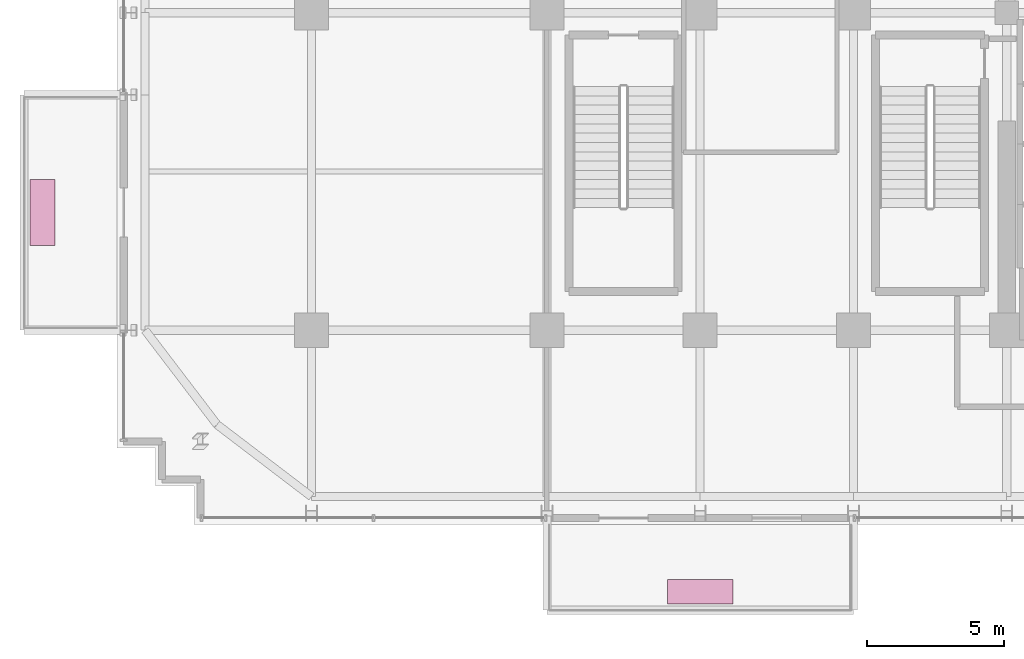
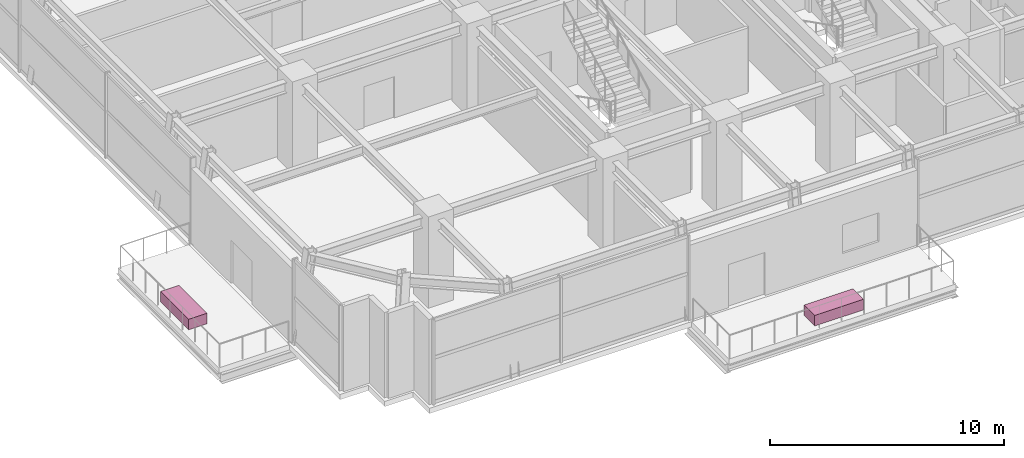
# One storey, part 26 of 26: 2 furnishings.
"""IFC4 building model written with IfcOpenShell, lengths in metres."""

from ifc_helpers import new_model, si_unit, direction, frame, origin, origin_2d, place, context, subcontext, project, spatial, rectangle, extrude, source, transform, mapped, material, type_object, element, save


model = new_model("IFC4")

# Units and contexts
model_context = context("Model", 3, precision=1e-05, world=origin(), true_north=direction((0.0, 1.0)))
body_context = subcontext(model_context, "Body", "Model", "MODEL_VIEW")
ifc_project = project(units=[si_unit("LENGTHUNIT", "METRE"), si_unit("AREAUNIT", "SQUARE_METRE"), si_unit("VOLUMEUNIT", "CUBIC_METRE"), si_unit("PLANEANGLEUNIT", "RADIAN"), si_unit("MASSUNIT", "GRAM", prefix="KILO")], contexts=[model_context])

# Site, building, storey
site_placement = place(None, origin())
site = spatial("IfcSite", under=ifc_project, at=site_placement, CompositionType="ELEMENT")
building_placement = place(site_placement, origin())
building = spatial("IfcBuilding", under=site, at=building_placement, Name="Nahalor Promenade Grand Hotel", CompositionType="ELEMENT")
storey_placement = place(building_placement, frame((0.0, 0.0, 139.39990234375)))
storey = spatial("IfcBuildingStorey", under=building, at=storey_placement, Name="L35", CompositionType="ELEMENT", Elevation=139.39990234375)

# Furnishings
ifc_material = material(Name="Vegetated Volcanic-Lapilli Tree Planter", Category="earth")
furnishing_element_type = type_object("IfcFurnishingElementType", Name="Planter-VerticalForest-Box", material=ifc_material)
shared_shape = source(origin(), body_context, "Body", "SweptSolid", [
    extrude(rectangle(XDim=2.39990234375, YDim=0.89990234375, at=origin_2d()), origin(), (0.0, 0.0, 1.0), 0.550048828125),
])
for number, where, z_axis, x_axis, name in (
    (1, (-2.800048828125, -26.56005859375, 0.0), (0.0, 0.0, 1.0), (1.0, 0.0, 0.0), "L35 Balcony Structural Tree Planter 1"),
    (2, (-26.830078125, -12.699951171875, 0.0), (0.0, 0.0, 1.0), (0.0, 1.0, 0.0), "L35 Balcony Structural Tree Planter 2"),
):
    element("IfcFurnishingElement", number, at=place(storey_placement, frame(where, z_axis=z_axis, x_axis=x_axis)), inside=storey, type_object=furnishing_element_type, Name=name, ObjectType="PLANTER", context=body_context, shape_type="MappedRepresentation", body=[
        mapped(shared_shape, transform((0.0, 0.0, 0.0), scale=1.0)),
    ])

save(model, "model.ifc")
